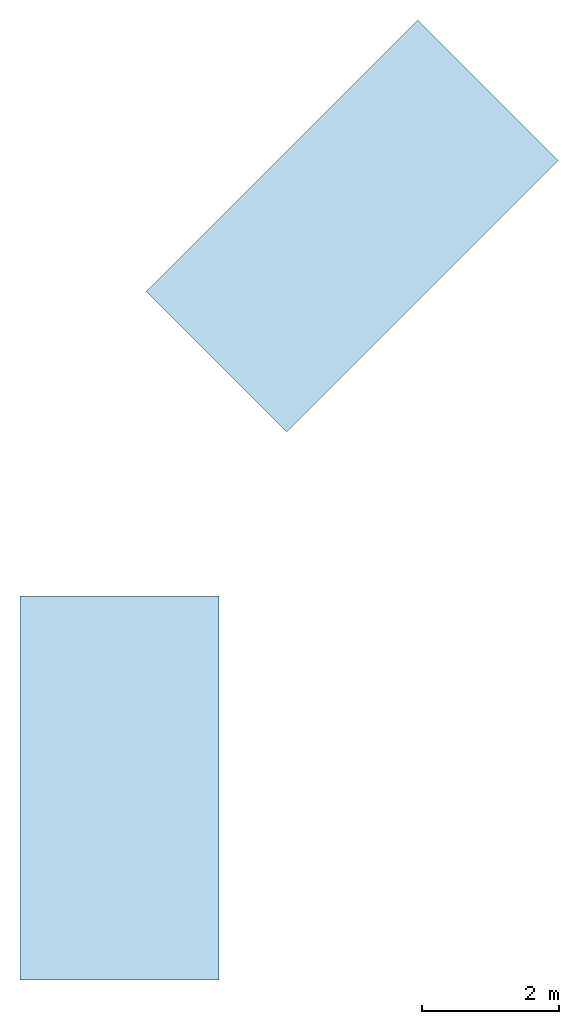
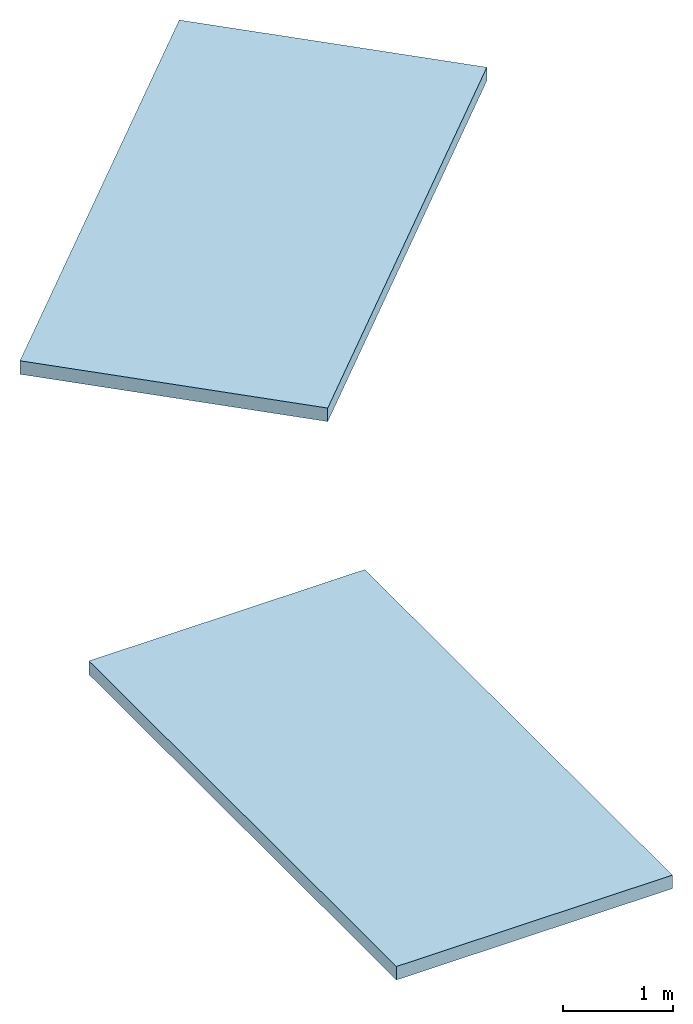
# One storey: 2 slabs.
"""IFC4 building model written with IfcOpenShell, lengths in metres."""

from ifc_helpers import new_model, si_unit, direction, frame, origin, place, context, subcontext, project, spatial, polyline, outline, extrude, material, layer, layer_set, layer_usage, type_object, element, save


model = new_model("IFC4")

# Units and contexts
model_context = context("Model", 3, precision=1e-05, world=origin(), true_north=direction((0.0, 1.0)))
body_context = subcontext(model_context, "Body", "Model", "MODEL_VIEW")
ifc_project = project(units=[si_unit("LENGTHUNIT", "METRE"), si_unit("AREAUNIT", "SQUARE_METRE"), si_unit("VOLUMEUNIT", "CUBIC_METRE"), si_unit("PLANEANGLEUNIT", "RADIAN"), si_unit("MASSUNIT", "GRAM", prefix="KILO")], contexts=[model_context])

# Site, building, storey
site_placement = place(None, origin())
site = spatial("IfcSite", under=ifc_project, at=site_placement, CompositionType="ELEMENT")
building_placement = place(site_placement, origin())
building = spatial("IfcBuilding", under=site, at=building_placement, Name="Triada Interchange Tower", CompositionType="ELEMENT")
storey_placement = place(building_placement, frame((0.0, 0.0, 338.550048828125)))
storey = spatial("IfcBuildingStorey", under=building, at=storey_placement, Name="Roof stair hoods", CompositionType="ELEMENT", Elevation=338.550048828125)

# Slabs
ifc_material = material(Name="Concrete C40/50", Category="concrete")
ifc_layer = layer(ifc_material, 0.14990234375, Name="Reinforced concrete hood roof")
ifc_layer_set = layer_set([ifc_layer], Name="Stair hood roof slab 150")
ifc_layer_usage = layer_usage(ifc_layer_set, "AXIS3", "POSITIVE", 0.0)
slab_type = type_object("IfcSlabType", Name="Stair hood roof slab 150", PredefinedType="ROOF", material=ifc_layer_set)
slab_1_placement = place(storey_placement, frame((0.0, 0.0, -0.150146484375)))
element("IfcSlab", 1, at=slab_1_placement, inside=storey, type_object=slab_type, material=ifc_layer_usage, Name="Crown stair hood roof RS1", PredefinedType="ROOF", context=body_context, shape_type="SweptSolid", body=[
    extrude(outline(polyline([(2.43994140625, 0.388916015625), (6.39892578125, 4.34912109375), (4.34912109375, 6.39892578125), (0.388916015625, 2.43994140625), (2.43994140625, 0.388916015625)])), origin(), (0.0, 0.0, 1.0), 0.150146484375),
])
slab_2_placement = place(storey_placement, frame((0.0, 0.0, -0.150146484375)))
element("IfcSlab", 2, at=slab_2_placement, inside=storey, type_object=slab_type, material=ifc_layer_usage, Name="Crown stair hood roof RS2", PredefinedType="ROOF", context=body_context, shape_type="SweptSolid", body=[
    extrude(outline(polyline([(-1.449951171875, -2.0), (-1.449951171875, -7.60009765625), (1.449951171875, -7.60009765625), (1.449951171875, -2.0), (-1.449951171875, -2.0)])), origin(), (0.0, 0.0, 1.0), 0.150146484375),
])

save(model, "model.ifc")
